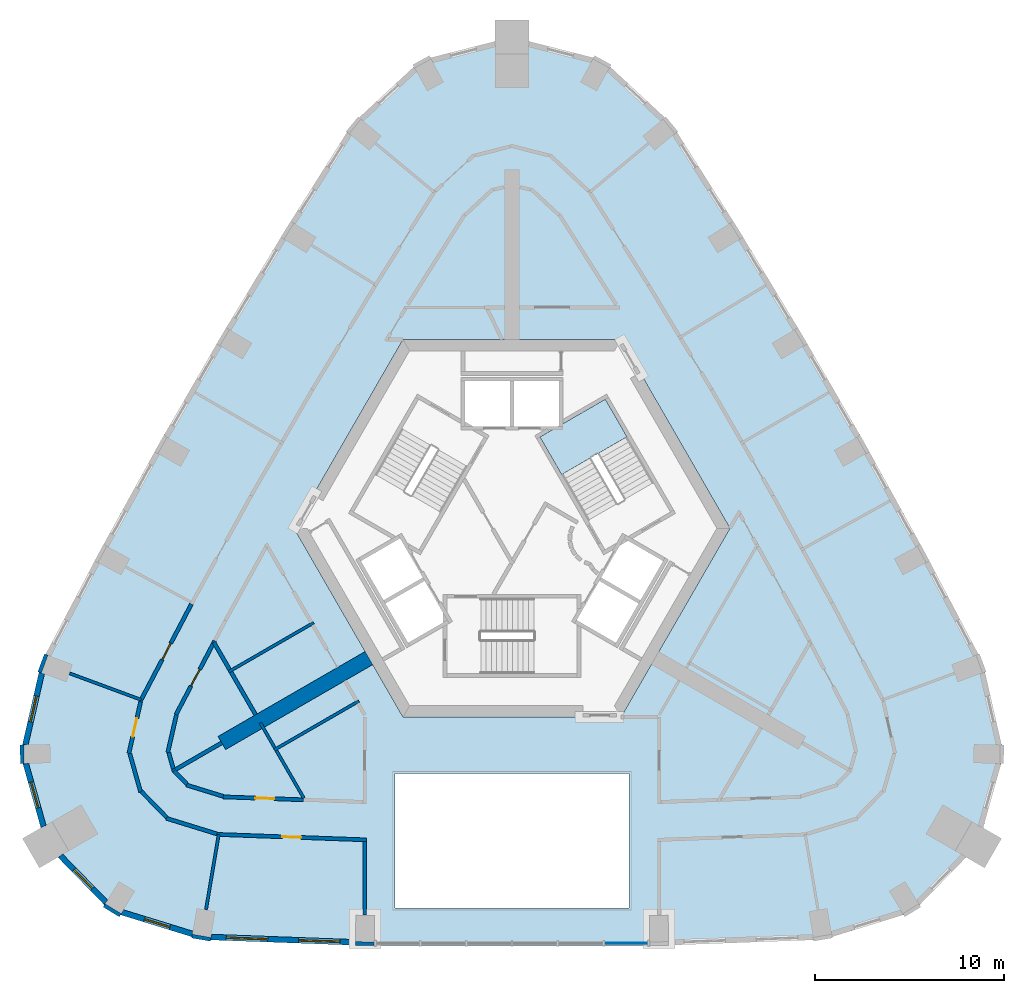
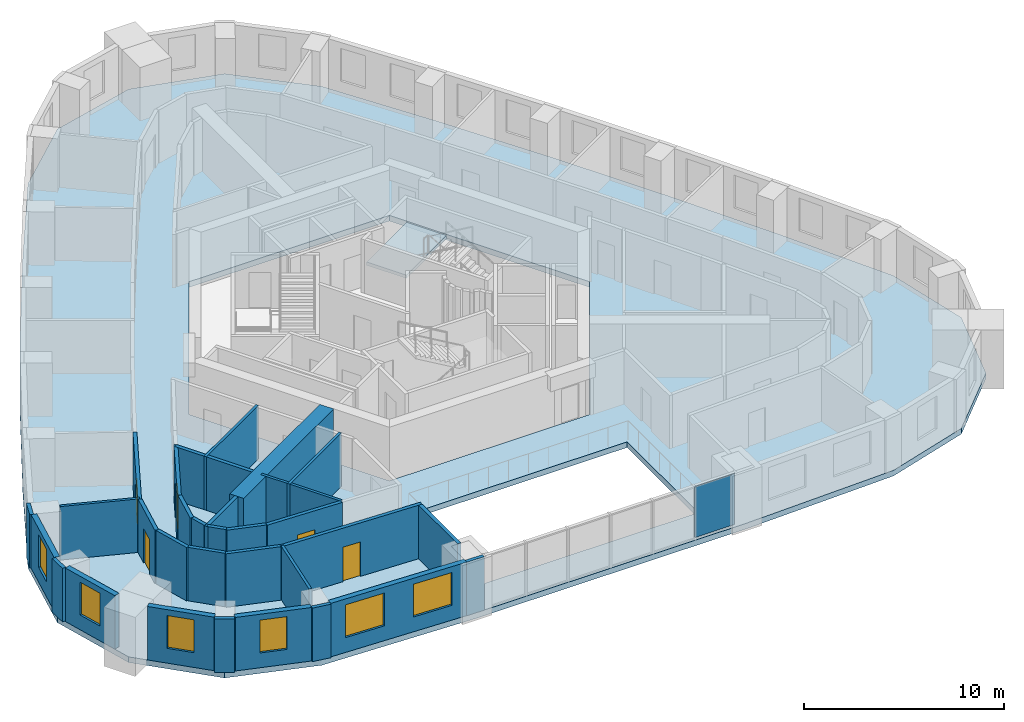
# One storey, part 3 of 10: 33 walls, 6 windows, 5 doors, 2 slabs, 1 plate, 11 openings, 2 elements without a shape of their own.
"""IFC4 building model written with IfcOpenShell, lengths in metres."""

from ifc_helpers import new_model, si_unit, direction, frame, frame_2d, origin, origin_2d, place, context, subcontext, project, spatial, polyline, rectangle, outline, extrude, material, layer, layer_set, type_object, element, fill, aggregate, save


model = new_model("IFC4")

# Units and contexts
model_context = context("Model", 3, precision=1e-05, world=origin(), true_north=direction((0.0, 1.0)))
body_context = subcontext(model_context, "Body", "Model", "MODEL_VIEW")
ifc_project = project(units=[si_unit("LENGTHUNIT", "METRE"), si_unit("AREAUNIT", "SQUARE_METRE"), si_unit("VOLUMEUNIT", "CUBIC_METRE"), si_unit("PLANEANGLEUNIT", "RADIAN"), si_unit("MASSUNIT", "GRAM", prefix="KILO")], contexts=[model_context])

# Site, building, storey
site_placement = place(None, origin())
site = spatial("IfcSite", under=ifc_project, at=site_placement, CompositionType="ELEMENT")
building_placement = place(site_placement, origin())
building = spatial("IfcBuilding", under=site, at=building_placement, Name="Entoto Arch Interchange Tower", CompositionType="ELEMENT")
storey_placement = place(building_placement, frame((0.0, 0.0, 245.0)))
storey = spatial("IfcBuildingStorey", under=building, at=storey_placement, Name="L55", CompositionType="ELEMENT", Elevation=245.0)

# Stair, slab
ifc_material_1 = material(Name="Concrete C40/50", Category="concrete")
stair_type = type_object("IfcStairType", Name="EXIT STAIR RC 1800", PredefinedType="HALF_TURN_STAIR", material=ifc_material_1)
stair_placement = place(storey_placement, origin())
stair = element("IfcStair", 1, at=stair_placement, inside=storey, type_object=stair_type, Name="L55 Exit stair NE", PredefinedType="HALF_TURN_STAIR")
ifc_layer_1 = layer(ifc_material_1, 0.199951171875)
ifc_layer_set_1 = layer_set([ifc_layer_1], Name="Concrete C40/50")
slab_type_1 = type_object("IfcSlabType", Name="EXIT STAIR LANDING RC 200", PredefinedType="LANDING", material=ifc_layer_set_1)
slab_1_placement = place(storey_placement, frame((0.0, 0.0, 1.60009765625)))
slab_1 = element("IfcSlab", 2, at=slab_1_placement, type_object=slab_type_1, Name="ST-NE landing 1", PredefinedType="LANDING", context=body_context, shape_type="SweptSolid", body=[
    extrude(outline(polyline([(6.093505859375, 7.345947265625), (4.943359375, 9.337890625), (1.479248046875, 7.337890625), (2.62939453125, 5.345947265625), (6.093505859375, 7.345947265625)])), origin(), (0.0, 0.0, 1.0), 0.199951171875),
])
aggregate(stair, [slab_1])

# Curtain wall, plate
ifc_material_2 = material(Name="Aluminium, anodised", Category="aluminium")
curtain_wall_type = type_object("IfcCurtainWallType", Name="CURTAIN WALL ATRIUM", PredefinedType="NOTDEFINED", material=ifc_material_2)
curtain_wall_placement = place(storey_placement, origin())
curtain_wall = element("IfcCurtainWall", 3, at=curtain_wall_placement, inside=storey, type_object=curtain_wall_type, Name="Atrium glazing S-02 L55", PredefinedType="NOTDEFINED")
ifc_material_3 = material(Name="Clear glass, low-e double glazed", Category="glass")
ifc_layer_2 = layer(ifc_material_3, 0.031982421875)
ifc_layer_set_2 = layer_set([ifc_layer_2], Name="Clear glass, low-e double glazed")
plate_type = type_object("IfcPlateType", Name="GLAZING PANEL ATRIUM 32", PredefinedType="CURTAIN_PANEL", material=ifc_layer_set_2)
plate_placement = place(storey_placement, frame((6.0576171875, -19.48291015625, 0.079833984375), z_axis=(0.0, 0.0, 1.0), x_axis=(1.0, 0.0, 0.0)))
plate = element("IfcPlate", 4, at=plate_placement, type_object=plate_type, Name="CWA panel 6.1", PredefinedType="CURTAIN_PANEL", context=body_context, shape_type="SweptSolid", body=[
    extrude(rectangle(XDim=2.282958984375, YDim=0.031982421875, at=origin_2d()), origin(), (0.0, 0.0, 1.0), 3.10009765625),
])
aggregate(curtain_wall, [plate])

# Slab
ifc_layer_3 = layer(ifc_material_1, 0.340087890625)
ifc_layer_set_3 = layer_set([ifc_layer_3], Name="Concrete C40/50")
slab_type_2 = type_object("IfcSlabType", Name="Post-tensioned flat plate 340 C40/50", PredefinedType="FLOOR", material=ifc_layer_set_3)
slab_2_placement = place(storey_placement, frame((0.0, 0.0, -0.340087890625)))
element("IfcSlab", 5, at=slab_2_placement, inside=storey, type_object=slab_type_2, Name="Floor slab L55", PredefinedType="FLOOR", context=body_context, shape_type="SweptSolid", body=[
    extrude(outline(polyline([(-16.47998046875, -19.291015625), (-7.800048828125, -19.60791015625), (7.800048828125, -19.60791015625), (16.47998046875, -19.291015625), (21.23388671875, -17.824951171875), (24.70703125, -14.264892578125), (26.053955078125, -9.47607421875), (24.946044921875, -4.626953125), (21.8779296875, 1.2109375), (18.695068359375, 6.986083984375), (15.39794921875, 12.697021484375), (11.988037109375, 18.342041015625), (8.466064453125, 23.91796875), (4.820068359375, 27.302001953125), (0.0, 28.529052734375), (-4.820068359375, 27.302001953125), (-8.466064453125, 23.91796875), (-11.988037109375, 18.342041015625), (-15.39794921875, 12.697021484375), (-18.695068359375, 6.986083984375), (-21.8779296875, 1.2109375), (-24.946044921875, -4.626953125), (-26.053955078125, -9.47607421875), (-24.70703125, -14.264892578125), (-21.23388671875, -17.824951171875), (-16.47998046875, -19.291015625)]), holes=[polyline([(6.199951171875, -17.60791015625), (6.199951171875, -10.5), (-6.199951171875, -10.5), (-6.199951171875, -17.60791015625), (6.199951171875, -17.60791015625)]), polyline([(11.547119140625, 2.5), (5.77392578125, 12.5), (-5.77392578125, 12.5), (-11.547119140625, 2.5), (-5.77392578125, -7.5), (5.77392578125, -7.5), (11.547119140625, 2.5)])]), origin(), (0.0, 0.0, 1.0), 0.340087890625),
])

# Walls
ifc_layer_4 = layer(ifc_material_1, 0.800048828125)
ifc_layer_set_4 = layer_set([ifc_layer_4], Name="Concrete C40/50")
wall_type_1 = type_object("IfcWallType", Name="Buttress wall 800 C40/50", PredefinedType="SHEAR", material=ifc_layer_set_4)
wall_1_placement = place(storey_placement, frame((-7.577880859375, -4.375, -0.340087890625), z_axis=(0.0, 0.0, 1.0), x_axis=(-0.866024315419, -0.5000018851, 0.0)))
element("IfcWall", 6, at=wall_1_placement, inside=storey, type_object=wall_type_1, Name="Buttress wall SW L55", PredefinedType="SHEAR", context=body_context, shape_type="SweptSolid", body=[
    extrude(rectangle(XDim=9.0, YDim=0.800048828125, at=frame_2d((4.5, 0.0))), origin(), (0.0, 0.0, 1.0), 3.60009765625),
])
ifc_material_4 = material(Name="Gypsum board partition on steel studs", Category="steel")
ifc_layer_5 = layer(ifc_material_4, 0.14990234375)
ifc_layer_set_5 = layer_set([ifc_layer_5], Name="Gypsum board partition on steel studs")
wall_type_2 = type_object("IfcWallType", Name="PARTITION 150", PredefinedType="PARTITIONING", material=ifc_layer_set_5)
wall_2_placement = place(storey_placement, frame((-10.506103515625, -2.5029296875, 0.0), z_axis=(0.0, 0.0, 1.0), x_axis=(-0.866044872465, -0.49996627774, 0.0)))
element("IfcWall", 7, at=wall_2_placement, inside=storey, type_object=wall_type_2, Name="wall:L55:p096", PredefinedType="PARTITIONING", context=body_context, shape_type="SweptSolid", body=[
    extrude(rectangle(XDim=5.200439453125, YDim=0.14990234375, at=frame_2d((2.60009765625, 0.0))), origin(), (0.0, 0.0, 1.0), 3.260009765625),
])
wall_3_placement = place(storey_placement, frame((-8.111083984375, -6.65087890625, 0.0), z_axis=(0.0, 0.0, 1.0), x_axis=(-0.865984471925, -0.50007088936, 0.0)))
element("IfcWall", 8, at=wall_3_placement, inside=storey, type_object=wall_type_2, Name="wall:L55:p098", PredefinedType="PARTITIONING", context=body_context, shape_type="SweptSolid", body=[
    extrude(rectangle(XDim=5.175537109375, YDim=0.14990234375, at=frame_2d((2.587890625, 0.0))), origin(), (0.0, 0.0, 1.0), 3.260009765625),
])
wall_4_placement = place(storey_placement, frame((-12.56494140625, -9.135986328125, 0.0), z_axis=(0.0, 0.0, 1.0), x_axis=(-0.500198329269, 0.865910868044, 0.0)))
element("IfcWall", 9, at=wall_4_placement, inside=storey, type_object=wall_type_2, Name="wall:L55:p100", PredefinedType="PARTITIONING", context=body_context, shape_type="SweptSolid", body=[
    extrude(rectangle(XDim=1.539306640625, YDim=0.14990234375, at=frame_2d((0.76953125, 0.0))), origin(), (0.0, 0.0, 1.0), 3.260009765625),
])
wall_5_placement = place(storey_placement, frame((-11.027099609375, -11.800048828125, 0.0), z_axis=(0.0, 0.0, 1.0), x_axis=(-0.499980071345, 0.866036909293, 0.0)))
element("IfcWall", 10, at=wall_5_placement, inside=storey, type_object=wall_type_2, Name="wall:L55:p101", PredefinedType="PARTITIONING", context=body_context, shape_type="SweptSolid", body=[
    extrude(rectangle(XDim=2.92578125, YDim=0.14990234375, at=frame_2d((1.462890625, 0.0))), origin(), (0.0, 0.0, 1.0), 3.260009765625),
])
wall_6_placement = place(storey_placement, frame((-19.64892578125, -6.5859375, 0.0), z_axis=(0.0, 0.0, 1.0), x_axis=(-0.937935790958, 0.346808956114, 0.0)))
element("IfcWall", 11, at=wall_6_placement, inside=storey, type_object=wall_type_2, Name="wall:L55:p113", PredefinedType="PARTITIONING", context=body_context, shape_type="SweptSolid", body=[
    extrude(rectangle(XDim=4.028076171875, YDim=0.14990234375, at=frame_2d((2.01416015625, 0.0))), origin(), (0.0, 0.0, 1.0), 3.260009765625),
])
wall_7_placement = place(storey_placement, frame((-15.537109375, -13.721923828125, 0.0), z_axis=(0.0, 0.0, 1.0), x_axis=(-0.167012380144, -0.985954798598, 0.0)))
element("IfcWall", 12, at=wall_7_placement, inside=storey, type_object=wall_type_2, Name="wall:L55:p114", PredefinedType="PARTITIONING", context=body_context, shape_type="SweptSolid", body=[
    extrude(rectangle(XDim=4.02880859375, YDim=0.14990234375, at=frame_2d((2.014404296875, 0.0))), origin(), (0.0, 0.0, 1.0), 3.260009765625),
])

# Wall, opening, door
ifc_layer_6 = layer(ifc_material_4, 0.199951171875)
ifc_layer_set_6 = layer_set([ifc_layer_6], Name="Gypsum board partition on steel studs")
wall_type_3 = type_object("IfcWallType", Name="PARTITION 200", PredefinedType="PARTITIONING", material=ifc_layer_set_6)
wall_8_placement = place(storey_placement, frame((-15.74609375, -3.4580078125, 0.0), z_axis=(0.0, 0.0, 1.0), x_axis=(-0.465179971699, -0.885216128372, 0.0)))
wall_8 = element("IfcWall", 13, at=wall_8_placement, inside=storey, type_object=wall_type_3, Name="wall:L55:p028", PredefinedType="PARTITIONING", context=body_context, shape_type="SweptSolid", body=[
    extrude(rectangle(XDim=4.423828125, YDim=0.199951171875, at=frame_2d((2.2119140625, 0.0))), origin(), (0.0, 0.0, 1.0), 3.260009765625),
])
opening_1_placement = place(wall_8_placement, frame((1.7119140625, 0.0, 0.0)))
opening_1 = element("IfcOpeningElement", 14, at=opening_1_placement, cuts=wall_8, Name="Opening L55-D22", PredefinedType="OPENING", context=body_context, shape_type="SweptSolid", body=[
    extrude(rectangle(XDim=1.0, YDim=2.10009765625, at=frame_2d((0.5, 1.050048828125))), frame((0.0, 0.10986328125, 0.0), z_axis=(0.0, -1.0, 0.0), x_axis=(1.0, 0.0, 0.0)), (0.0, 0.0, 1.0), 0.219970703125),
])
ifc_material_5 = material(Name="Timber door leaf in Steel S235 frame", Category="steel")
door_type = type_object("IfcDoorType", Name="DOOR DS-10 1000x2100", OperationType="SINGLE_SWING_LEFT", PredefinedType="DOOR", material=ifc_material_5)
door_1_placement = place(opening_1_placement, origin())
door_1 = element("IfcDoor", 15, at=door_1_placement, inside=storey, type_object=door_type, Name="door:L55:22", OperationType="SINGLE_SWING_LEFT", OverallHeight=2.10009765625, OverallWidth=1.0, PredefinedType="DOOR", context=body_context, shape_type="SweptSolid", body=[
    extrude(rectangle(XDim=1.0, YDim=2.10009765625, at=frame_2d((0.5, 1.050048828125))), frame((0.0, 0.02490234375, 0.0), z_axis=(0.0, -1.0, 0.0), x_axis=(1.0, 0.0, 0.0)), (0.0, 0.0, 1.0), 0.050048828125),
])
fill(opening_1, door_1)

# Walls
wall_9_placement = place(storey_placement, frame((-17.780029296875, -7.383056640625, 0.0), z_axis=(0.0, 0.0, 1.0), x_axis=(-0.222760041204, -0.974873306662, 0.0)))
element("IfcWall", 16, at=wall_9_placement, inside=storey, type_object=wall_type_3, Name="wall:L55:p029", PredefinedType="PARTITIONING", context=body_context, shape_type="SweptSolid", body=[
    extrude(rectangle(XDim=2.04736328125, YDim=0.199951171875, at=frame_2d((1.023681640625, 0.0))), origin(), (0.0, 0.0, 1.0), 3.260009765625),
])
wall_10_placement = place(storey_placement, frame((-18.18701171875, -9.3779296875, 0.0), z_axis=(0.0, 0.0, 1.0), x_axis=(0.270785141481, -0.962639811743, 0.0)))
element("IfcWall", 17, at=wall_10_placement, inside=storey, type_object=wall_type_3, Name="wall:L55:p030", PredefinedType="PARTITIONING", context=body_context, shape_type="SweptSolid", body=[
    extrude(rectangle(XDim=0.8935546875, YDim=0.199951171875, at=frame_2d((0.44677734375, 0.0))), origin(), (0.0, 0.0, 1.0), 3.260009765625),
])
wall_11_placement = place(storey_placement, frame((-17.9150390625, -10.343994140625, 0.0), z_axis=(0.0, 0.0, 1.0), x_axis=(0.698527813511, -0.715582904877, 0.0)))
element("IfcWall", 18, at=wall_11_placement, inside=storey, type_object=wall_type_3, Name="wall:L55:p031", PredefinedType="PARTITIONING", context=body_context, shape_type="SweptSolid", body=[
    extrude(rectangle(XDim=1.001953125, YDim=0.199951171875, at=frame_2d((0.5009765625, 0.0))), origin(), (0.0, 0.0, 1.0), 3.260009765625),
])
wall_12_placement = place(storey_placement, frame((-17.240966796875, -11.10302734375, 0.0), z_axis=(0.0, 0.0, 1.0), x_axis=(0.95563113363, -0.294566013716, 0.0)))
element("IfcWall", 19, at=wall_12_placement, inside=storey, type_object=wall_type_3, Name="wall:L55:p032", PredefinedType="PARTITIONING", context=body_context, shape_type="SweptSolid", body=[
    extrude(rectangle(XDim=2.036376953125, YDim=0.199951171875, at=frame_2d((1.01806640625, 0.0))), origin(), (0.0, 0.0, 1.0), 3.260009765625),
])

# Wall, opening, door
wall_13_placement = place(storey_placement, frame((-15.300048828125, -11.72900390625, 0.0), z_axis=(0.0, 0.0, 1.0), x_axis=(0.999326350165, -0.036699398722, 0.0)))
wall_13 = element("IfcWall", 20, at=wall_13_placement, inside=storey, type_object=wall_type_3, Name="wall:L55:p033", PredefinedType="PARTITIONING", context=body_context, shape_type="SweptSolid", body=[
    extrude(rectangle(XDim=4.2509765625, YDim=0.199951171875, at=frame_2d((2.12548828125, 0.0))), origin(), (0.0, 0.0, 1.0), 3.260009765625),
])
opening_2_placement = place(wall_13_placement, frame((1.699951171875, 0.0, 0.0)))
opening_2 = element("IfcOpeningElement", 21, at=opening_2_placement, cuts=wall_13, Name="Opening L55-D23", PredefinedType="OPENING", context=body_context, shape_type="SweptSolid", body=[
    extrude(rectangle(XDim=1.0, YDim=2.10009765625, at=frame_2d((0.5, 1.050048828125))), frame((0.0, 0.10986328125, 0.0), z_axis=(0.0, -1.0, 0.0), x_axis=(1.0, 0.0, 0.0)), (0.0, 0.0, 1.0), 0.219970703125),
])
door_2_placement = place(opening_2_placement, origin())
door_2 = element("IfcDoor", 22, at=door_2_placement, inside=storey, type_object=door_type, Name="door:L55:23", OperationType="SINGLE_SWING_LEFT", OverallHeight=2.10009765625, OverallWidth=1.0, PredefinedType="DOOR", context=body_context, shape_type="SweptSolid", body=[
    extrude(rectangle(XDim=1.0, YDim=2.10009765625, at=frame_2d((0.5, 1.050048828125))), frame((0.0, 0.02490234375, 0.0), z_axis=(0.0, -1.0, 0.0), x_axis=(1.0, 0.0, 0.0)), (0.0, 0.0, 1.0), 0.050048828125),
])
fill(opening_2, door_2)

wall_14_placement = place(storey_placement, frame((-19.696044921875, -6.675048828125, 0.0), z_axis=(0.0, 0.0, 1.0), x_axis=(0.465165163774, 0.88522390976, 0.0)))
wall_14 = element("IfcWall", 23, at=wall_14_placement, inside=storey, type_object=wall_type_3, Name="wall:L55:p056", PredefinedType="PARTITIONING", context=body_context, shape_type="SweptSolid", body=[
    extrude(rectangle(XDim=5.834716796875, YDim=0.199951171875, at=frame_2d((2.91748046875, 0.0))), origin(), (0.0, 0.0, 1.0), 3.260009765625),
])
opening_3_placement = place(wall_14_placement, frame((2.491943359375, 0.0, 0.0)))
opening_3 = element("IfcOpeningElement", 24, at=opening_3_placement, cuts=wall_14, Name="Opening L55-D11", PredefinedType="OPENING", context=body_context, shape_type="SweptSolid", body=[
    extrude(rectangle(XDim=1.0, YDim=2.10009765625, at=frame_2d((0.5, 1.050048828125))), frame((0.0, 0.10986328125, 0.0), z_axis=(0.0, -1.0, 0.0), x_axis=(1.0, 0.0, 0.0)), (0.0, 0.0, 1.0), 0.219970703125),
])
door_3_placement = place(opening_3_placement, origin())
door_3 = element("IfcDoor", 25, at=door_3_placement, inside=storey, type_object=door_type, Name="door:L55:11", OperationType="SINGLE_SWING_LEFT", OverallHeight=2.10009765625, OverallWidth=1.0, PredefinedType="DOOR", context=body_context, shape_type="SweptSolid", body=[
    extrude(rectangle(XDim=1.0, YDim=2.10009765625, at=frame_2d((0.5, 1.050048828125))), frame((0.0, 0.02490234375, 0.0), z_axis=(0.0, -1.0, 0.0), x_axis=(1.0, 0.0, 0.0)), (0.0, 0.0, 1.0), 0.050048828125),
])
fill(opening_3, door_3)

# Walls
wall_15_placement = place(storey_placement, frame((-15.632080078125, -13.69189453125, 0.0), z_axis=(0.0, 0.0, 1.0), x_axis=(-0.955600342663, 0.294665887239, 0.0)))
element("IfcWall", 26, at=wall_15_placement, inside=storey, type_object=wall_type_3, Name="wall:L55:p057", PredefinedType="PARTITIONING", context=body_context, shape_type="SweptSolid", body=[
    extrude(rectangle(XDim=2.8095703125, YDim=0.199951171875, at=frame_2d((1.40478515625, 0.0))), origin(), (0.0, 0.0, 1.0), 3.260009765625),
])
wall_16_placement = place(storey_placement, frame((-18.291015625, -12.822021484375, 0.0), z_axis=(0.0, 0.0, 1.0), x_axis=(-0.698477855606, 0.715631668687, 0.0)))
element("IfcWall", 27, at=wall_16_placement, inside=storey, type_object=wall_type_3, Name="wall:L55:p058", PredefinedType="PARTITIONING", context=body_context, shape_type="SweptSolid", body=[
    extrude(rectangle(XDim=1.92138671875, YDim=0.199951171875, at=frame_2d((0.960693359375, 0.0))), origin(), (0.0, 0.0, 1.0), 3.260009765625),
])
wall_17_placement = place(storey_placement, frame((-19.675048828125, -11.471923828125, 0.0), z_axis=(0.0, 0.0, 1.0), x_axis=(-0.270905475888, 0.962605954238, 0.0)))
element("IfcWall", 28, at=wall_17_placement, inside=storey, type_object=wall_type_3, Name="wall:L55:p059", PredefinedType="PARTITIONING", context=body_context, shape_type="SweptSolid", body=[
    extrude(rectangle(XDim=2.122314453125, YDim=0.199951171875, at=frame_2d((1.06103515625, 0.0))), origin(), (0.0, 0.0, 1.0), 3.260009765625),
])

# Wall, opening, door
wall_18_placement = place(storey_placement, frame((-20.299072265625, -9.429931640625, 0.0), z_axis=(0.0, 0.0, 1.0), x_axis=(0.222523624687, 0.974927298036, 0.0)))
wall_18 = element("IfcWall", 29, at=wall_18_placement, inside=storey, type_object=wall_type_3, Name="wall:L55:p060", PredefinedType="PARTITIONING", context=body_context, shape_type="SweptSolid", body=[
    extrude(rectangle(XDim=2.8173828125, YDim=0.199951171875, at=frame_2d((1.40869140625, 0.0))), origin(), (0.0, 0.0, 1.0), 3.260009765625),
])
opening_4_placement = place(wall_18_placement, frame((0.908935546875, 0.0, 0.0)))
opening_4 = element("IfcOpeningElement", 30, at=opening_4_placement, cuts=wall_18, Name="Opening L55-D12", PredefinedType="OPENING", context=body_context, shape_type="SweptSolid", body=[
    extrude(rectangle(XDim=1.0, YDim=2.10009765625, at=frame_2d((0.5, 1.050048828125))), frame((0.0, 0.10986328125, 0.0), z_axis=(0.0, -1.0, 0.0), x_axis=(1.0, 0.0, 0.0)), (0.0, 0.0, 1.0), 0.219970703125),
])
door_4_placement = place(opening_4_placement, origin())
door_4 = element("IfcDoor", 31, at=door_4_placement, inside=storey, type_object=door_type, Name="door:L55:12", OperationType="SINGLE_SWING_LEFT", OverallHeight=2.10009765625, OverallWidth=1.0, PredefinedType="DOOR", context=body_context, shape_type="SweptSolid", body=[
    extrude(rectangle(XDim=1.0, YDim=2.10009765625, at=frame_2d((0.5, 1.050048828125))), frame((0.0, 0.02490234375, 0.0), z_axis=(0.0, -1.0, 0.0), x_axis=(1.0, 0.0, 0.0)), (0.0, 0.0, 1.0), 0.050048828125),
])
fill(opening_4, door_4)

wall_19_placement = place(storey_placement, frame((-7.699951171875, -14.008056640625, 0.0), z_axis=(0.0, 0.0, 1.0), x_axis=(-0.99933282306, 0.036522715615, 0.0)))
wall_19 = element("IfcWall", 32, at=wall_19_placement, inside=storey, type_object=wall_type_3, Name="wall:L55:p061", PredefinedType="PARTITIONING", context=body_context, shape_type="SweptSolid", body=[
    extrude(rectangle(XDim=7.94140625, YDim=0.199951171875, at=frame_2d((3.970703125, 0.0))), origin(), (0.0, 0.0, 1.0), 3.260009765625),
])
opening_5_placement = place(wall_19_placement, frame((3.470947265625, 0.0, 0.0)))
opening_5 = element("IfcOpeningElement", 33, at=opening_5_placement, cuts=wall_19, Name="Opening L55-D13", PredefinedType="OPENING", context=body_context, shape_type="SweptSolid", body=[
    extrude(rectangle(XDim=1.0, YDim=2.10009765625, at=frame_2d((0.5, 1.050048828125))), frame((0.0, 0.10986328125, 0.0), z_axis=(0.0, -1.0, 0.0), x_axis=(1.0, 0.0, 0.0)), (0.0, 0.0, 1.0), 0.219970703125),
])
door_5_placement = place(opening_5_placement, origin())
door_5 = element("IfcDoor", 34, at=door_5_placement, inside=storey, type_object=door_type, Name="door:L55:13", OperationType="SINGLE_SWING_RIGHT", OverallHeight=2.10009765625, OverallWidth=1.0, PredefinedType="DOOR", context=body_context, shape_type="SweptSolid", body=[
    extrude(rectangle(XDim=1.0, YDim=2.10009765625, at=frame_2d((0.5, 1.050048828125))), frame((0.0, 0.02490234375, 0.0), z_axis=(0.0, -1.0, 0.0), x_axis=(1.0, 0.0, 0.0)), (0.0, 0.0, 1.0), 0.050048828125),
])
fill(opening_5, door_5)

# Walls
wall_20_placement = place(storey_placement, frame((-7.800048828125, -17.988037109375, 0.0), z_axis=(0.0, 0.0, 1.0), x_axis=(0.0, 1.0, 0.0)))
element("IfcWall", 35, at=wall_20_placement, inside=storey, type_object=wall_type_3, Name="wall:L55:p090", PredefinedType="PARTITIONING", context=body_context, shape_type="SweptSolid", body=[
    extrude(rectangle(XDim=3.884033203125, YDim=0.199951171875, at=frame_2d((1.94189453125, 0.0))), origin(), (0.0, 0.0, 1.0), 3.260009765625),
])
wall_21_placement = place(storey_placement, frame((-14.9599609375, -4.988037109375, 0.0), z_axis=(0.0, 0.0, 1.0), x_axis=(-0.500175017317, 0.865924333907, 0.0)))
element("IfcWall", 36, at=wall_21_placement, inside=storey, type_object=wall_type_3, Name="wall:L55:p097", PredefinedType="PARTITIONING", context=body_context, shape_type="SweptSolid", body=[
    extrude(rectangle(XDim=1.66552734375, YDim=0.199951171875, at=frame_2d((0.832763671875, 0.0))), origin(), (0.0, 0.0, 1.0), 3.260009765625),
])
wall_22_placement = place(storey_placement, frame((-13.580078125, -7.37890625, 0.0), z_axis=(0.0, 0.0, 1.0), x_axis=(-0.499870876044, 0.866099940701, 0.0)))
element("IfcWall", 37, at=wall_22_placement, inside=storey, type_object=wall_type_3, Name="wall:L55:p099", PredefinedType="PARTITIONING", context=body_context, shape_type="SweptSolid", body=[
    extrude(rectangle(XDim=2.610595703125, YDim=0.199951171875, at=frame_2d((1.30517578125, 0.0))), origin(), (0.0, 0.0, 1.0), 3.260009765625),
])
wall_23_placement = place(storey_placement, frame((-15.376953125, -8.866943359375, 0.0), z_axis=(0.0, 0.0, 1.0), x_axis=(-0.865965767548, -0.500103278768, 0.0)))
element("IfcWall", 38, at=wall_23_placement, inside=storey, type_object=wall_type_3, Name="wall:L55:p102", PredefinedType="PARTITIONING", context=body_context, shape_type="SweptSolid", body=[
    extrude(rectangle(XDim=3.033447265625, YDim=0.199951171875, at=frame_2d((1.5166015625, 0.0))), origin(), (0.0, 0.0, 1.0), 3.260009765625),
])

# Wall, openings, windows
ifc_material_6 = material(Name="Welded tuff (ignimbrite) cladding, warm buff", Category="masonry")
ifc_layer_7 = layer(ifc_material_6, 0.300048828125)
ifc_layer_set_7 = layer_set([ifc_layer_7], Name="Welded tuff (ignimbrite) cladding, warm buff")
wall_type_4 = type_object("IfcWallType", Name="STONE INFILL WALL 300", PredefinedType="STANDARD", material=ifc_layer_set_7)
wall_24_placement = place(storey_placement, frame((-15.951904296875, -19.159912109375, 0.0), z_axis=(0.0, 0.0, 1.0), x_axis=(0.999331753125, -0.036551979363, 0.0)))
wall_24 = element("IfcWall", 39, at=wall_24_placement, inside=storey, type_object=wall_type_4, Name="Facade wall S-01 L55", PredefinedType="STANDARD", context=body_context, shape_type="SweptSolid", body=[
    extrude(rectangle(XDim=7.6611328125, YDim=0.300048828125, at=frame_2d((3.83056640625, 0.0))), origin(), (0.0, 0.0, 1.0), 3.260009765625),
])
opening_6_placement = place(wall_24_placement, frame((0.81494140625, 0.0, 0.89990234375)))
opening_6 = element("IfcOpeningElement", 40, at=opening_6_placement, cuts=wall_24, Name="Opening WH-A", PredefinedType="OPENING", context=body_context, shape_type="SweptSolid", body=[
    extrude(rectangle(XDim=2.199951171875, YDim=2.0, at=frame_2d((1.10009765625, 1.0))), frame((0.0, 0.16015625, 0.0), z_axis=(0.0, -1.0, 0.0), x_axis=(1.0, 0.0, 0.0)), (0.0, 0.0, 1.0), 0.320068359375),
])
opening_7_placement = place(wall_24_placement, frame((4.64599609375, 0.0, 0.89990234375)))
opening_7 = element("IfcOpeningElement", 41, at=opening_7_placement, cuts=wall_24, Name="Opening WH-A", PredefinedType="OPENING", context=body_context, shape_type="SweptSolid", body=[
    extrude(rectangle(XDim=2.199951171875, YDim=2.0, at=frame_2d((1.10009765625, 1.0))), frame((0.0, 0.16015625, 0.0), z_axis=(0.0, -1.0, 0.0), x_axis=(1.0, 0.0, 0.0)), (0.0, 0.0, 1.0), 0.320068359375),
])
window_type_1 = type_object("IfcWindowType", Name="WINDOW WH-A 2200x2000", PartitioningType="DOUBLE_PANEL_VERTICAL", PredefinedType="WINDOW", material=ifc_material_3)
window_1_placement = place(opening_6_placement, origin())
window_1 = element("IfcWindow", 42, at=window_1_placement, inside=storey, type_object=window_type_1, Name="Window WH-A S-01 L55", OverallHeight=2.0, OverallWidth=2.199951171875, PartitioningType="SINGLE_PANEL", PredefinedType="WINDOW", context=body_context, shape_type="SweptSolid", body=[
    extrude(rectangle(XDim=2.199951171875, YDim=2.0, at=frame_2d((1.10009765625, 1.0))), frame((0.0, 0.030029296875, 0.0), z_axis=(0.0, -1.0, 0.0), x_axis=(1.0, 0.0, 0.0)), (0.0, 0.0, 1.0), 0.06005859375),
])
fill(opening_6, window_1)
window_2_placement = place(opening_7_placement, origin())
window_2 = element("IfcWindow", 43, at=window_2_placement, inside=storey, type_object=window_type_1, Name="Window WH-A S-01 L55", OverallHeight=2.0, OverallWidth=2.199951171875, PartitioningType="SINGLE_PANEL", PredefinedType="WINDOW", context=body_context, shape_type="SweptSolid", body=[
    extrude(rectangle(XDim=2.199951171875, YDim=2.0, at=frame_2d((1.10009765625, 1.0))), frame((0.0, 0.030029296875, 0.0), z_axis=(0.0, -1.0, 0.0), x_axis=(1.0, 0.0, 0.0)), (0.0, 0.0, 1.0), 0.06005859375),
])
fill(opening_7, window_2)

# Wall, opening, window
wall_25_placement = place(storey_placement, frame((-24.916015625, -5.169921875, 0.0), z_axis=(0.0, 0.0, 1.0), x_axis=(-0.222901327396, -0.974841011778, 0.0)))
wall_25 = element("IfcWall", 44, at=wall_25_placement, inside=storey, type_object=wall_type_4, Name="Facade wall SW-01 L55", PredefinedType="STANDARD", context=body_context, shape_type="SweptSolid", body=[
    extrude(rectangle(XDim=3.898193359375, YDim=0.300048828125, at=frame_2d((1.94921875, 0.0))), origin(), (0.0, 0.0, 1.0), 3.260009765625),
])
opening_8_placement = place(wall_25_placement, frame((1.2490234375, 0.0, 0.89990234375)))
opening_8 = element("IfcOpeningElement", 45, at=opening_8_placement, cuts=wall_25, Name="Opening WH-B", PredefinedType="OPENING", context=body_context, shape_type="SweptSolid", body=[
    extrude(rectangle(XDim=1.39990234375, YDim=2.0, at=frame_2d((0.699951171875, 1.0))), frame((0.0, 0.16015625, 0.0), z_axis=(0.0, -1.0, 0.0), x_axis=(1.0, 0.0, 0.0)), (0.0, 0.0, 1.0), 0.320068359375),
])
window_type_2 = type_object("IfcWindowType", Name="WINDOW WH-B 1400x2000", PartitioningType="DOUBLE_PANEL_VERTICAL", PredefinedType="WINDOW", material=ifc_material_3)
window_3_placement = place(opening_8_placement, origin())
window_3 = element("IfcWindow", 46, at=window_3_placement, inside=storey, type_object=window_type_2, Name="Window WH-B SW-01 L55", OverallHeight=2.0, OverallWidth=1.39990234375, PartitioningType="SINGLE_PANEL", PredefinedType="WINDOW", context=body_context, shape_type="SweptSolid", body=[
    extrude(rectangle(XDim=1.39990234375, YDim=2.0, at=frame_2d((0.699951171875, 1.0))), frame((0.0, 0.030029296875, 0.0), z_axis=(0.0, -1.0, 0.0), x_axis=(1.0, 0.0, 0.0)), (0.0, 0.0, 1.0), 0.06005859375),
])
fill(opening_8, window_3)

wall_26_placement = place(storey_placement, frame((-25.760009765625, -9.968017578125, 0.0), z_axis=(0.0, 0.0, 1.0), x_axis=(0.270837632743, -0.962625044703, 0.0)))
wall_26 = element("IfcWall", 47, at=wall_26_placement, inside=storey, type_object=wall_type_4, Name="Facade wall SW-02 L55", PredefinedType="STANDARD", context=body_context, shape_type="SweptSolid", body=[
    extrude(rectangle(XDim=3.4560546875, YDim=0.300048828125, at=frame_2d((1.72802734375, 0.0))), origin(), (0.0, 0.0, 1.0), 3.260009765625),
])
opening_9_placement = place(wall_26_placement, frame((1.028076171875, 0.0, 0.89990234375)))
opening_9 = element("IfcOpeningElement", 48, at=opening_9_placement, cuts=wall_26, Name="Opening WH-B", PredefinedType="OPENING", context=body_context, shape_type="SweptSolid", body=[
    extrude(rectangle(XDim=1.39990234375, YDim=2.0, at=frame_2d((0.699951171875, 1.0))), frame((0.0, 0.16015625, 0.0), z_axis=(0.0, -1.0, 0.0), x_axis=(1.0, 0.0, 0.0)), (0.0, 0.0, 1.0), 0.320068359375),
])
window_4_placement = place(opening_9_placement, origin())
window_4 = element("IfcWindow", 49, at=window_4_placement, inside=storey, type_object=window_type_2, Name="Window WH-B SW-02 L55", OverallHeight=2.0, OverallWidth=1.39990234375, PartitioningType="SINGLE_PANEL", PredefinedType="WINDOW", context=body_context, shape_type="SweptSolid", body=[
    extrude(rectangle(XDim=1.39990234375, YDim=2.0, at=frame_2d((0.699951171875, 1.0))), frame((0.0, 0.030029296875, 0.0), z_axis=(0.0, -1.0, 0.0), x_axis=(1.0, 0.0, 0.0)), (0.0, 0.0, 1.0), 0.06005859375),
])
fill(opening_9, window_4)

wall_27_placement = place(storey_placement, frame((-23.925048828125, -14.85205078125, 0.0), z_axis=(0.0, 0.0, 1.0), x_axis=(0.698394514831, -0.715713002294, 0.0)))
wall_27 = element("IfcWall", 50, at=wall_27_placement, inside=storey, type_object=wall_type_4, Name="Facade wall SW-03 L55", PredefinedType="STANDARD", context=body_context, shape_type="SweptSolid", body=[
    extrude(rectangle(XDim=3.453857421875, YDim=0.300048828125, at=frame_2d((1.72705078125, 0.0))), origin(), (0.0, 0.0, 1.0), 3.260009765625),
])
opening_10_placement = place(wall_27_placement, frame((1.027099609375, 0.0, 0.89990234375)))
opening_10 = element("IfcOpeningElement", 51, at=opening_10_placement, cuts=wall_27, Name="Opening WH-B", PredefinedType="OPENING", context=body_context, shape_type="SweptSolid", body=[
    extrude(rectangle(XDim=1.39990234375, YDim=2.0, at=frame_2d((0.699951171875, 1.0))), frame((0.0, 0.16015625, 0.0), z_axis=(0.0, -1.0, 0.0), x_axis=(1.0, 0.0, 0.0)), (0.0, 0.0, 1.0), 0.320068359375),
])
window_5_placement = place(opening_10_placement, origin())
window_5 = element("IfcWindow", 52, at=window_5_placement, inside=storey, type_object=window_type_2, Name="Window WH-B SW-03 L55", OverallHeight=2.0, OverallWidth=1.39990234375, PartitioningType="SINGLE_PANEL", PredefinedType="WINDOW", context=body_context, shape_type="SweptSolid", body=[
    extrude(rectangle(XDim=1.39990234375, YDim=2.0, at=frame_2d((0.699951171875, 1.0))), frame((0.0, 0.030029296875, 0.0), z_axis=(0.0, -1.0, 0.0), x_axis=(1.0, 0.0, 0.0)), (0.0, 0.0, 1.0), 0.06005859375),
])
fill(opening_10, window_5)

wall_28_placement = place(storey_placement, frame((-20.660888671875, -17.844970703125, 0.0), z_axis=(0.0, 0.0, 1.0), x_axis=(0.955646189569, -0.2945171648, 0.0)))
wall_28 = element("IfcWall", 53, at=wall_28_placement, inside=storey, type_object=wall_type_4, Name="Facade wall SW-04 L55", PredefinedType="STANDARD", context=body_context, shape_type="SweptSolid", body=[
    extrude(rectangle(XDim=3.897705078125, YDim=0.300048828125, at=frame_2d((1.94873046875, 0.0))), origin(), (0.0, 0.0, 1.0), 3.260009765625),
])
opening_11_placement = place(wall_28_placement, frame((1.2490234375, 0.0, 0.89990234375)))
opening_11 = element("IfcOpeningElement", 54, at=opening_11_placement, cuts=wall_28, Name="Opening WH-B", PredefinedType="OPENING", context=body_context, shape_type="SweptSolid", body=[
    extrude(rectangle(XDim=1.39990234375, YDim=2.0, at=frame_2d((0.699951171875, 1.0))), frame((0.0, 0.16015625, 0.0), z_axis=(0.0, -1.0, 0.0), x_axis=(1.0, 0.0, 0.0)), (0.0, 0.0, 1.0), 0.320068359375),
])
window_6_placement = place(opening_11_placement, origin())
window_6 = element("IfcWindow", 55, at=window_6_placement, inside=storey, type_object=window_type_2, Name="Window WH-B SW-04 L55", OverallHeight=2.0, OverallWidth=1.39990234375, PartitioningType="SINGLE_PANEL", PredefinedType="WINDOW", context=body_context, shape_type="SweptSolid", body=[
    extrude(rectangle(XDim=1.39990234375, YDim=2.0, at=frame_2d((0.699951171875, 1.0))), frame((0.0, 0.030029296875, 0.0), z_axis=(0.0, -1.0, 0.0), x_axis=(1.0, 0.0, 0.0)), (0.0, 0.0, 1.0), 0.06005859375),
])
fill(opening_11, window_6)

# Walls
ifc_layer_8 = layer(ifc_material_6, 0.199951171875)
ifc_layer_set_8 = layer_set([ifc_layer_8], Name="Welded tuff (ignimbrite) cladding, warm buff")
wall_type_5 = type_object("IfcWallType", Name="STONE PIER CLADDING 200", PredefinedType="STANDARD", material=ifc_layer_set_8)
wall_29_placement = place(storey_placement, frame((-24.678955078125, -4.193115234375, 0.0), z_axis=(0.0, 0.0, 1.0), x_axis=(-0.346892928577, -0.937904737222, 0.0)))
element("IfcWall", 56, at=wall_29_placement, inside=storey, type_object=wall_type_5, Name="Stone pier NW06 L55", PredefinedType="STANDARD", context=body_context, shape_type="SweptSolid", body=[
    extrude(rectangle(XDim=1.0, YDim=0.199951171875, at=frame_2d((0.5, 0.0))), origin(), (0.0, 0.0, 1.0), 3.260009765625),
])
for number, where, z_axis, x_axis, name in (
    (57, (-16.9560546875, -19.10888671875, 0.0), (0.0, 0.0, 1.0), (0.985961725342, -0.166971483074, 0.0), "Stone pier S01 L55"),
    (58, (-8.298095703125, -19.4990234375, 0.0), (0.0, 0.0, 1.0), (0.999836842422, -0.018063458579, 0.0), "Stone pier S02 L55"),
):
    element("IfcWall", number, at=place(storey_placement, frame(where, z_axis=z_axis, x_axis=x_axis)), inside=storey, type_object=wall_type_5, Name=name, PredefinedType="STANDARD", context=body_context, shape_type="SweptSolid", body=[
        extrude(rectangle(XDim=1.000244140625, YDim=0.199951171875, at=frame_2d((0.5, 0.0))), origin(), (0.0, 0.0, 1.0), 3.260009765625),
    ])
wall_30_placement = place(storey_placement, frame((-25.966064453125, -8.97412109375, 0.0), z_axis=(0.0, 0.0, 1.0), x_axis=(0.024192379573, -0.999707321555, 0.0)))
element("IfcWall", 59, at=wall_30_placement, inside=storey, type_object=wall_type_5, Name="Stone pier SW1 L55", PredefinedType="STANDARD", context=body_context, shape_type="SweptSolid", body=[
    extrude(rectangle(XDim=0.9990234375, YDim=0.199951171875, at=frame_2d((0.49951171875, 0.0))), origin(), (0.0, 0.0, 1.0), 3.260009765625),
])
wall_31_placement = place(storey_placement, frame((-21.60888671875, -17.47900390625, 0.0), z_axis=(0.0, 0.0, 1.0), x_axis=(0.853679739553, -0.520798331677, 0.0)))
element("IfcWall", 60, at=wall_31_placement, inside=storey, type_object=wall_type_5, Name="Stone pier SW3 L55", PredefinedType="STANDARD", context=body_context, shape_type="SweptSolid", body=[
    extrude(rectangle(XDim=1.00048828125, YDim=0.199951171875, at=frame_2d((0.500244140625, 0.0))), origin(), (0.0, 0.0, 1.0), 3.260009765625),
])

save(model, "model.ifc")
